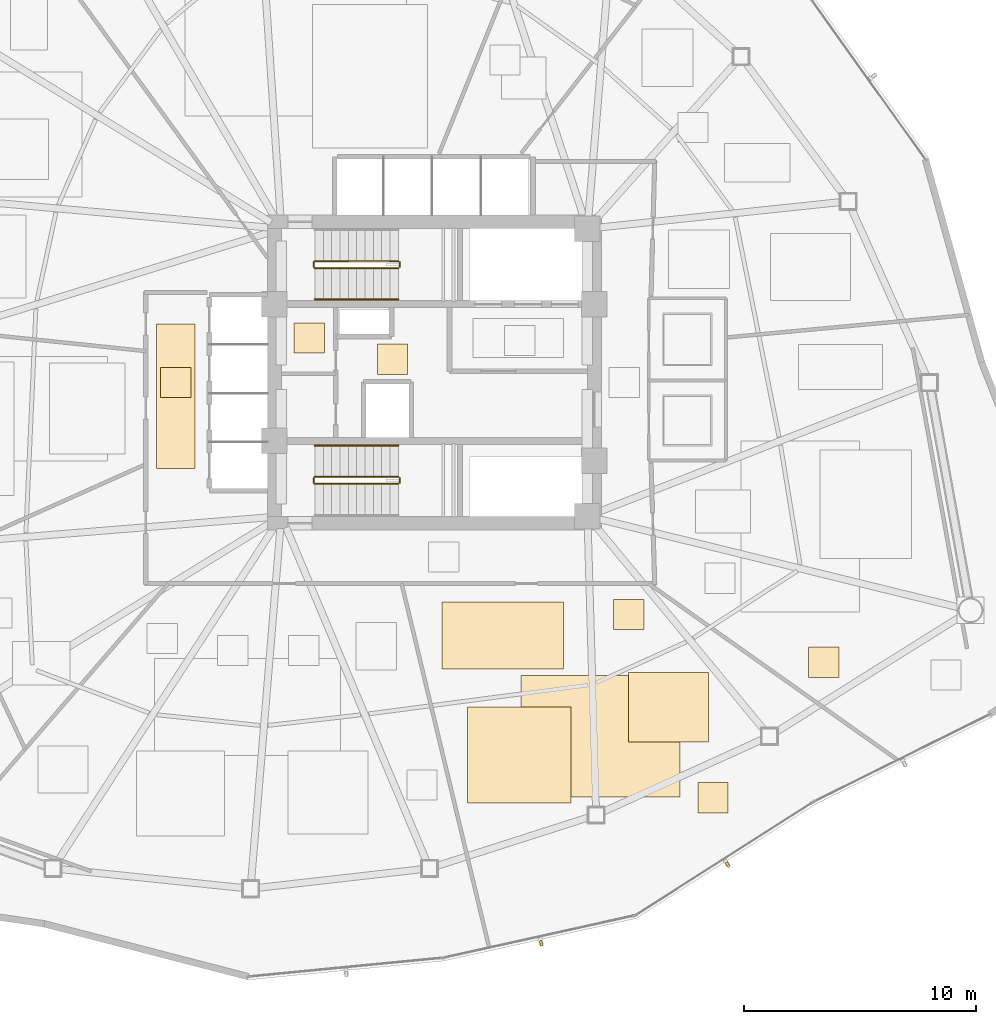
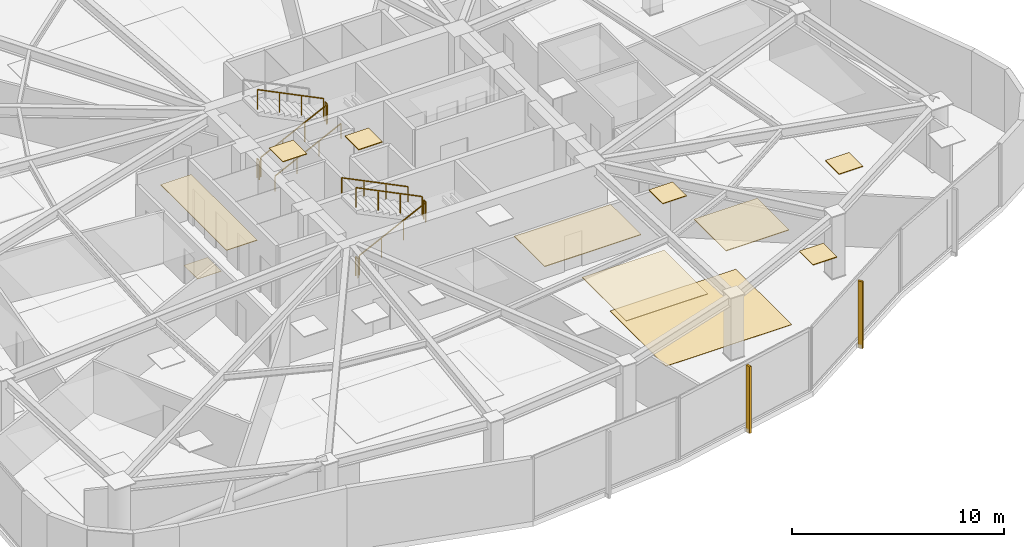
# One storey, part 16 of 18: 11 coverings, 10 railings, 2 shading devices.
"""IFC4 building model written with IfcOpenShell, lengths in metres."""

from ifc_helpers import new_model, si_unit, direction, frame, origin, origin_2d, place, context, subcontext, project, spatial, polyline, rectangle, outline, extrude, source, transform, mapped, material, layer, layer_set, type_object, type_shapes, element, save


model = new_model("IFC4")

# Units and contexts
model_context = context("Model", 3, precision=1e-05, world=origin(), true_north=direction((0.0, 1.0)))
body_context = subcontext(model_context, "Body", "Model", "MODEL_VIEW")
ifc_project = project(units=[si_unit("LENGTHUNIT", "METRE"), si_unit("AREAUNIT", "SQUARE_METRE"), si_unit("VOLUMEUNIT", "CUBIC_METRE"), si_unit("PLANEANGLEUNIT", "RADIAN"), si_unit("MASSUNIT", "GRAM", prefix="KILO")], contexts=[model_context])

# Site, building, storey
site_placement = place(None, origin())
site = spatial("IfcSite", under=ifc_project, at=site_placement, CompositionType="ELEMENT")
building_placement = place(site_placement, origin())
building = spatial("IfcBuilding", under=site, at=building_placement, Name="Tavelor Broadcast Tower", CompositionType="ELEMENT")
storey_placement = place(building_placement, frame((0.0, 0.0, 62.699951171875)))
storey = spatial("IfcBuildingStorey", under=building, at=storey_placement, Name="L14", CompositionType="ELEMENT", Elevation=62.699951171875)

# Covering
ifc_material_1 = material(Name="Copper-Bronze Anodized Aluminium", Category="aluminium")
ifc_layer_1 = layer(ifc_material_1, 0.044921875)
ifc_layer_set_1 = layer_set([ifc_layer_1], Name="Copper-Bronze Anodized Aluminium")
covering_type_1 = type_object("IfcCoveringType", Name="Anodised Bronze Linear Slatted Concourse Ceiling 45 mm", PredefinedType="CEILING", material=ifc_layer_set_1)
covering_1_placement = place(storey_placement, frame((0.0, 0.0, 3.554931640625)))
element("IfcCovering", 1, at=covering_1_placement, inside=storey, type_object=covering_type_1, Name="L14 Suspended Acoustic Ceiling 0541", PredefinedType="CEILING", context=body_context, shape_type="SweptSolid", body=[
    extrude(outline(polyline([(47.5400390625, 44.919921875), (48.840087890625, 44.919921875), (48.840087890625, 46.219970703125), (47.5400390625, 46.219970703125), (47.5400390625, 44.919921875)])), origin(), (0.0, 0.0, 1.0), 0.045166015625),
])

# Railings
ifc_material_2 = material(Name="Steel S355", Category="steel")
railing_type_1 = type_object("IfcRailingType", Name="Continuous Brushed Stainless Handrail 900 mm", PredefinedType="HANDRAIL", material=ifc_material_2)
railing_1_placement = place(storey_placement, frame((44.85009765625, 48.14990234375, 0.17724609375)))
element("IfcRailing", 2, at=railing_1_placement, inside=storey, type_object=railing_type_1, Name="L14 ST1 stair handrail 1", PredefinedType="HANDRAIL", context=body_context, shape_type="SweptSolid", body=[
    extrude(rectangle(XDim=0.048095703125, YDim=0.048095703125, at=origin_2d()), frame((0.0, 0.0, 0.8759765625), z_axis=(0.897124305991, 0.0, 0.441778201817), x_axis=(0.0, 1.0, 0.0)), (0.0, 0.0, 1.0), 4.0126953125),
    extrude(rectangle(XDim=0.0419921875, YDim=0.0419921875, at=origin_2d()), origin(), (0.0, 0.0, 1.0), 0.851806640625),
    extrude(rectangle(XDim=0.0419921875, YDim=0.0419921875, at=origin_2d()), frame((1.199951171875, 0.0, 0.5908203125)), (0.0, 0.0, 1.0), 0.851806640625),
    extrude(rectangle(XDim=0.0419921875, YDim=0.0419921875, at=origin_2d()), frame((2.39990234375, 0.0, 1.181884765625)), (0.0, 0.0, 1.0), 0.851806640625),
    extrude(rectangle(XDim=0.0419921875, YDim=0.0419921875, at=origin_2d()), frame((3.599853515625, 0.0, 1.772705078125)), (0.0, 0.0, 1.0), 0.851806640625),
])
railing_2_placement = place(storey_placement, frame((48.449951171875, 41.85009765625, 2.12744140625)))
element("IfcRailing", 3, at=railing_2_placement, inside=storey, type_object=railing_type_1, Name="L14 ST2 stair handrail 2", PredefinedType="HANDRAIL", context=body_context, shape_type="SweptSolid", body=[
    extrude(rectangle(XDim=0.048095703125, YDim=0.048095703125, at=origin_2d()), frame((0.0, 0.0, 0.8759765625), z_axis=(-0.897124305991, 0.0, 0.441778201817), x_axis=(0.0, -1.0, 0.0)), (0.0, 0.0, 1.0), 4.0126953125),
    extrude(rectangle(XDim=0.0419921875, YDim=0.0419921875, at=origin_2d()), origin(), (0.0, 0.0, 1.0), 0.851806640625),
    extrude(rectangle(XDim=0.0419921875, YDim=0.0419921875, at=origin_2d()), frame((-1.199951171875, 0.0, 0.5908203125)), (0.0, 0.0, 1.0), 0.851806640625),
    extrude(rectangle(XDim=0.0419921875, YDim=0.0419921875, at=origin_2d()), frame((-2.39990234375, 0.0, 1.181884765625)), (0.0, 0.0, 1.0), 0.851806640625),
    extrude(rectangle(XDim=0.0419921875, YDim=0.0419921875, at=origin_2d()), frame((-3.599853515625, 0.0, 1.772705078125)), (0.0, 0.0, 1.0), 0.851806640625),
])

# Coverings
ifc_material_3 = material(Name="Architectural Anodized Aluminium", Category="aluminium")
ifc_layer_2 = layer(ifc_material_3, 0.034912109375)
ifc_layer_set_2 = layer_set([ifc_layer_2], Name="Architectural Anodized Aluminium")
covering_type_2 = type_object("IfcCoveringType", Name="Demountable Metal Tile Corridor Ceiling 35 mm", PredefinedType="CEILING", material=ifc_layer_set_2)
covering_2_placement = place(storey_placement, frame((0.0, 0.0, 3.56494140625)))
element("IfcCovering", 4, at=covering_2_placement, inside=storey, type_object=covering_type_2, Name="L14 Suspended Acoustic Ceiling 0545", PredefinedType="CEILING", context=body_context, shape_type="SweptSolid", body=[
    extrude(outline(polyline([(38.01611328125, 40.868896484375), (39.683837890625, 40.868896484375), (39.683837890625, 47.096923828125), (38.01611328125, 47.096923828125), (38.01611328125, 40.868896484375)])), origin(), (0.0, 0.0, 1.0), 0.03515625),
])
ifc_material_4 = material(Name="Acoustic Nylon Carpet Tile")
ifc_layer_3 = layer(ifc_material_4, 0.02001953125)
ifc_layer_set_3 = layer_set([ifc_layer_3], Name="Acoustic Nylon Carpet Tile")
covering_type_3 = type_object("IfcCoveringType", Name="Heavy-Duty Acoustic Broadcast Carpet Tile 20 mm", PredefinedType="FLOORING", material=ifc_layer_set_3)
covering_3_placement = place(storey_placement, origin())
element("IfcCovering", 5, at=covering_3_placement, inside=storey, type_object=covering_type_3, Name="L14 Broadcast Floor Finish 0191", PredefinedType="FLOORING", context=body_context, shape_type="SweptSolid", body=[
    extrude(outline(polyline([(38.199951171875, 43.925048828125), (39.5, 43.925048828125), (39.5, 45.22509765625), (38.199951171875, 45.22509765625), (38.199951171875, 43.925048828125)])), origin(), (0.0, 0.0, 1.0), 0.02001953125),
])
covering_4_placement = place(storey_placement, origin())
element("IfcCovering", 6, at=covering_4_placement, inside=storey, type_object=covering_type_3, Name="L14 Broadcast Floor Finish 0201", PredefinedType="FLOORING", context=body_context, shape_type="SweptSolid", body=[
    extrude(outline(polyline([(53.725830078125, 26.690673828125), (60.58154296875, 26.690673828125), (60.58154296875, 31.945068359375), (53.725830078125, 31.945068359375), (53.725830078125, 26.690673828125)])), origin(), (0.0, 0.0, 1.0), 0.02001953125),
])

# Railings
railing_type_2 = type_object("IfcRailingType", Name="Stairwell Steel Safety Guardrail 1150 mm", PredefinedType="GUARDRAIL", material=ifc_material_2)
railing_3_placement = place(storey_placement, frame((44.85009765625, 49.5, 0.17724609375)))
element("IfcRailing", 7, at=railing_3_placement, inside=storey, type_object=railing_type_2, Name="L14 ST1 stair guard 1", PredefinedType="GUARDRAIL", context=body_context, shape_type="SweptSolid", body=[
    extrude(rectangle(XDim=0.048095703125, YDim=0.048095703125, at=origin_2d()), frame((0.0, 0.0, 1.1259765625), z_axis=(0.897124305991, 0.0, 0.441778201817), x_axis=(0.0, 1.0, 0.0)), (0.0, 0.0, 1.0), 4.0126953125),
    extrude(rectangle(XDim=0.0419921875, YDim=0.0419921875, at=origin_2d()), origin(), (0.0, 0.0, 1.0), 1.101806640625),
    extrude(rectangle(XDim=0.0419921875, YDim=0.0419921875, at=origin_2d()), frame((1.199951171875, 0.0, 0.5908203125)), (0.0, 0.0, 1.0), 1.101806640625),
    extrude(rectangle(XDim=0.0419921875, YDim=0.0419921875, at=origin_2d()), frame((2.39990234375, 0.0, 1.181884765625)), (0.0, 0.0, 1.0), 1.101806640625),
    extrude(rectangle(XDim=0.0419921875, YDim=0.0419921875, at=origin_2d()), frame((3.599853515625, 0.0, 1.772705078125)), (0.0, 0.0, 1.0), 1.101806640625),
])
railing_4_placement = place(storey_placement, frame((48.5, 49.550048828125, 1.949951171875)))
element("IfcRailing", 8, at=railing_4_placement, inside=storey, type_object=railing_type_2, Name="L14 ST1 stair guard 2", PredefinedType="GUARDRAIL", context=body_context, shape_type="SweptSolid", body=[
    extrude(rectangle(XDim=0.048095703125, YDim=0.048095703125, at=origin_2d()), frame((0.0, 0.0, 1.1259765625), z_axis=(0.0, 1.0, 0.0), x_axis=(-1.0, 0.0, 0.0)), (0.0, 0.0, 1.0), 0.199951171875),
    extrude(rectangle(XDim=0.0419921875, YDim=0.0419921875, at=origin_2d()), origin(), (0.0, 0.0, 1.0), 1.101806640625),
    extrude(rectangle(XDim=0.0419921875, YDim=0.0419921875, at=origin_2d()), frame((0.0, 0.199951171875, 0.0)), (0.0, 0.0, 1.0), 1.101806640625),
])
railing_5_placement = place(storey_placement, frame((48.449951171875, 49.800048828125, 2.12744140625)))
element("IfcRailing", 9, at=railing_5_placement, inside=storey, type_object=railing_type_2, Name="L14 ST1 stair guard 3", PredefinedType="GUARDRAIL", context=body_context, shape_type="SweptSolid", body=[
    extrude(rectangle(XDim=0.048095703125, YDim=0.048095703125, at=origin_2d()), frame((0.0, 0.0, 1.1259765625), z_axis=(-0.897124305991, 0.0, 0.441778201817), x_axis=(0.0, -1.0, 0.0)), (0.0, 0.0, 1.0), 4.0126953125),
    extrude(rectangle(XDim=0.0419921875, YDim=0.0419921875, at=origin_2d()), origin(), (0.0, 0.0, 1.0), 1.101806640625),
    extrude(rectangle(XDim=0.0419921875, YDim=0.0419921875, at=origin_2d()), frame((-1.199951171875, 0.0, 0.5908203125)), (0.0, 0.0, 1.0), 1.101806640625),
    extrude(rectangle(XDim=0.0419921875, YDim=0.0419921875, at=origin_2d()), frame((-2.39990234375, 0.0, 1.181884765625)), (0.0, 0.0, 1.0), 1.101806640625),
    extrude(rectangle(XDim=0.0419921875, YDim=0.0419921875, at=origin_2d()), frame((-3.599853515625, 0.0, 1.772705078125)), (0.0, 0.0, 1.0), 1.101806640625),
])
railing_6_placement = place(storey_placement, frame((44.800048828125, 49.550048828125, 0.0)))
element("IfcRailing", 10, at=railing_6_placement, inside=storey, type_object=railing_type_2, Name="L14 ST1 stair guard 4", PredefinedType="GUARDRAIL", context=body_context, shape_type="SweptSolid", body=[
    extrude(rectangle(XDim=0.048095703125, YDim=0.048095703125, at=origin_2d()), frame((0.0, 0.0, 1.1259765625), z_axis=(0.0, 1.0, 0.0), x_axis=(-1.0, 0.0, 0.0)), (0.0, 0.0, 1.0), 0.199951171875),
    extrude(rectangle(XDim=0.0419921875, YDim=0.0419921875, at=origin_2d()), origin(), (0.0, 0.0, 1.0), 1.101806640625),
    extrude(rectangle(XDim=0.0419921875, YDim=0.0419921875, at=origin_2d()), frame((0.0, 0.199951171875, 0.0)), (0.0, 0.0, 1.0), 1.101806640625),
])
railing_7_placement = place(storey_placement, frame((44.85009765625, 40.199951171875, 0.17724609375)))
element("IfcRailing", 11, at=railing_7_placement, inside=storey, type_object=railing_type_2, Name="L14 ST2 stair guard 1", PredefinedType="GUARDRAIL", context=body_context, shape_type="SweptSolid", body=[
    extrude(rectangle(XDim=0.048095703125, YDim=0.048095703125, at=origin_2d()), frame((0.0, 0.0, 1.1259765625), z_axis=(0.897124305991, 0.0, 0.441778201817), x_axis=(0.0, 1.0, 0.0)), (0.0, 0.0, 1.0), 4.0126953125),
    extrude(rectangle(XDim=0.0419921875, YDim=0.0419921875, at=origin_2d()), origin(), (0.0, 0.0, 1.0), 1.101806640625),
    extrude(rectangle(XDim=0.0419921875, YDim=0.0419921875, at=origin_2d()), frame((1.199951171875, 0.0, 0.5908203125)), (0.0, 0.0, 1.0), 1.101806640625),
    extrude(rectangle(XDim=0.0419921875, YDim=0.0419921875, at=origin_2d()), frame((2.39990234375, 0.0, 1.181884765625)), (0.0, 0.0, 1.0), 1.101806640625),
    extrude(rectangle(XDim=0.0419921875, YDim=0.0419921875, at=origin_2d()), frame((3.599853515625, 0.0, 1.772705078125)), (0.0, 0.0, 1.0), 1.101806640625),
])
railing_8_placement = place(storey_placement, frame((48.5, 40.25, 1.949951171875)))
element("IfcRailing", 12, at=railing_8_placement, inside=storey, type_object=railing_type_2, Name="L14 ST2 stair guard 2", PredefinedType="GUARDRAIL", context=body_context, shape_type="SweptSolid", body=[
    extrude(rectangle(XDim=0.048095703125, YDim=0.048095703125, at=origin_2d()), frame((0.0, 0.0, 1.1259765625), z_axis=(0.0, 1.0, 0.0), x_axis=(-1.0, 0.0, 0.0)), (0.0, 0.0, 1.0), 0.199951171875),
    extrude(rectangle(XDim=0.0419921875, YDim=0.0419921875, at=origin_2d()), origin(), (0.0, 0.0, 1.0), 1.101806640625),
    extrude(rectangle(XDim=0.0419921875, YDim=0.0419921875, at=origin_2d()), frame((0.0, 0.199951171875, 0.0)), (0.0, 0.0, 1.0), 1.101806640625),
])
railing_9_placement = place(storey_placement, frame((48.449951171875, 40.5, 2.12744140625)))
element("IfcRailing", 13, at=railing_9_placement, inside=storey, type_object=railing_type_2, Name="L14 ST2 stair guard 3", PredefinedType="GUARDRAIL", context=body_context, shape_type="SweptSolid", body=[
    extrude(rectangle(XDim=0.048095703125, YDim=0.048095703125, at=origin_2d()), frame((0.0, 0.0, 1.1259765625), z_axis=(-0.897124305991, 0.0, 0.441778201817), x_axis=(0.0, -1.0, 0.0)), (0.0, 0.0, 1.0), 4.0126953125),
    extrude(rectangle(XDim=0.0419921875, YDim=0.0419921875, at=origin_2d()), origin(), (0.0, 0.0, 1.0), 1.101806640625),
    extrude(rectangle(XDim=0.0419921875, YDim=0.0419921875, at=origin_2d()), frame((-1.199951171875, 0.0, 0.5908203125)), (0.0, 0.0, 1.0), 1.101806640625),
    extrude(rectangle(XDim=0.0419921875, YDim=0.0419921875, at=origin_2d()), frame((-2.39990234375, 0.0, 1.181884765625)), (0.0, 0.0, 1.0), 1.101806640625),
    extrude(rectangle(XDim=0.0419921875, YDim=0.0419921875, at=origin_2d()), frame((-3.599853515625, 0.0, 1.772705078125)), (0.0, 0.0, 1.0), 1.101806640625),
])
railing_10_placement = place(storey_placement, frame((44.800048828125, 40.25, 0.0)))
element("IfcRailing", 14, at=railing_10_placement, inside=storey, type_object=railing_type_2, Name="L14 ST2 stair guard 4", PredefinedType="GUARDRAIL", context=body_context, shape_type="SweptSolid", body=[
    extrude(rectangle(XDim=0.048095703125, YDim=0.048095703125, at=origin_2d()), frame((0.0, 0.0, 1.1259765625), z_axis=(0.0, 1.0, 0.0), x_axis=(-1.0, 0.0, 0.0)), (0.0, 0.0, 1.0), 0.199951171875),
    extrude(rectangle(XDim=0.0419921875, YDim=0.0419921875, at=origin_2d()), origin(), (0.0, 0.0, 1.0), 1.101806640625),
    extrude(rectangle(XDim=0.0419921875, YDim=0.0419921875, at=origin_2d()), frame((0.0, 0.199951171875, 0.0)), (0.0, 0.0, 1.0), 1.101806640625),
])

# Coverings
ifc_material_5 = material(Name="Acoustic Mineral Fibre Tile")
ifc_layer_4 = layer(ifc_material_5, 0.0400390625)
ifc_layer_set_4 = layer_set([ifc_layer_4], Name="Acoustic Mineral Fibre Tile")
covering_type_4 = type_object("IfcCoveringType", Name="Suspended Acoustic Mineral-Fibre Office Ceiling 40 mm", PredefinedType="CEILING", material=ifc_layer_set_4)
covering_5_placement = place(storey_placement, frame((0.0, 0.0, 3.56005859375)))
element("IfcCovering", 15, at=covering_5_placement, inside=storey, type_object=covering_type_4, Name="L14 Suspended Acoustic Ceiling 0542", PredefinedType="CEILING", context=body_context, shape_type="SweptSolid", body=[
    extrude(outline(polyline([(43.951416015625, 45.843017578125), (45.25146484375, 45.843017578125), (45.25146484375, 47.14306640625), (43.951416015625, 47.14306640625), (43.951416015625, 45.843017578125)])), origin(), (0.0, 0.0, 1.0), 0.0400390625),
])
covering_6_placement = place(storey_placement, frame((0.0, 0.0, 3.56005859375)))
element("IfcCovering", 16, at=covering_6_placement, inside=storey, type_object=covering_type_4, Name="L14 Suspended Acoustic Ceiling 0576", PredefinedType="CEILING", context=body_context, shape_type="SweptSolid", body=[
    extrude(outline(polyline([(66.142333984375, 31.8544921875), (67.4423828125, 31.8544921875), (67.4423828125, 33.154296875), (66.142333984375, 33.154296875), (66.142333984375, 31.8544921875)])), origin(), (0.0, 0.0, 1.0), 0.0400390625),
])
covering_7_placement = place(storey_placement, frame((0.0, 0.0, 3.56005859375)))
element("IfcCovering", 17, at=covering_7_placement, inside=storey, type_object=covering_type_4, Name="L14 Suspended Acoustic Ceiling 0579", PredefinedType="CEILING", context=body_context, shape_type="SweptSolid", body=[
    extrude(outline(polyline([(61.357177734375, 26.0107421875), (62.6572265625, 26.0107421875), (62.6572265625, 27.310791015625), (61.357177734375, 27.310791015625), (61.357177734375, 26.0107421875)])), origin(), (0.0, 0.0, 1.0), 0.0400390625),
])
covering_8_placement = place(storey_placement, frame((0.0, 0.0, 3.56005859375)))
element("IfcCovering", 18, at=covering_8_placement, inside=storey, type_object=covering_type_4, Name="L14 Suspended Acoustic Ceiling 0580", PredefinedType="CEILING", context=body_context, shape_type="SweptSolid", body=[
    extrude(outline(polyline([(51.41943359375, 26.4287109375), (55.881591796875, 26.4287109375), (55.881591796875, 30.56640625), (51.41943359375, 30.56640625), (51.41943359375, 26.4287109375)])), origin(), (0.0, 0.0, 1.0), 0.0400390625),
])
covering_9_placement = place(storey_placement, frame((0.0, 0.0, 3.56005859375)))
element("IfcCovering", 19, at=covering_9_placement, inside=storey, type_object=covering_type_4, Name="L14 Suspended Acoustic Ceiling 0581", PredefinedType="CEILING", context=body_context, shape_type="SweptSolid", body=[
    extrude(outline(polyline([(50.332275390625, 32.220947265625), (55.577880859375, 32.220947265625), (55.577880859375, 35.09423828125), (50.332275390625, 35.09423828125), (50.332275390625, 32.220947265625)])), origin(), (0.0, 0.0, 1.0), 0.0400390625),
])
covering_10_placement = place(storey_placement, frame((0.0, 0.0, 3.56005859375)))
element("IfcCovering", 20, at=covering_10_placement, inside=storey, type_object=covering_type_4, Name="L14 Suspended Acoustic Ceiling 0582", PredefinedType="CEILING", context=body_context, shape_type="SweptSolid", body=[
    extrude(outline(polyline([(57.73095703125, 33.91650390625), (59.031005859375, 33.91650390625), (59.031005859375, 35.216552734375), (57.73095703125, 35.216552734375), (57.73095703125, 33.91650390625)])), origin(), (0.0, 0.0, 1.0), 0.0400390625),
])
covering_11_placement = place(storey_placement, frame((0.0, 0.0, 3.56005859375)))
element("IfcCovering", 21, at=covering_11_placement, inside=storey, type_object=covering_type_4, Name="L14 Suspended Acoustic Ceiling 0583", PredefinedType="CEILING", context=body_context, shape_type="SweptSolid", body=[
    extrude(outline(polyline([(58.373779296875, 29.06640625), (61.811279296875, 29.06640625), (61.811279296875, 32.069091796875), (58.373779296875, 32.069091796875), (58.373779296875, 29.06640625)])), origin(), (0.0, 0.0, 1.0), 0.0400390625),
])

# Shading devices
ifc_material_6 = material(Name="Kiln-Fired Glazed Terracotta", Category="masonry")
shading_device_type = type_object("IfcShadingDeviceType", Name="Extruded Terracotta Baguette Sun-Screen 110x240", PredefinedType="JALOUSIE", material=ifc_material_6)
shared_shape = source(origin(), body_context, "Body", "SweptSolid", [
    extrude(rectangle(XDim=0.110107421875, YDim=0.239990234375, at=origin_2d()), origin(), (0.0, 0.0, 1.0), 3.840087890625),
])
type_shapes(shading_device_type, [shared_shape])
for number, where, z_axis, x_axis, name in (
    (22, (54.603515625, 20.384033203125, -0.259765625), (0.0, 0.0, 1.0), (0.976371499317, 0.216098809163, 0.0), "L14 Terracotta Baguette Fin 126"),
    (23, (62.64794921875, 23.773681640625, -0.259765625), (0.0, 0.0, 1.0), (0.84320384149, 0.537593974759, 0.0), "L14 Terracotta Baguette Fin 127"),
):
    element("IfcShadingDevice", number, at=place(storey_placement, frame(where, z_axis=z_axis, x_axis=x_axis)), inside=storey, type_object=shading_device_type, Name=name, PredefinedType="JALOUSIE", context=body_context, shape_type="MappedRepresentation", body=[
        mapped(shared_shape, transform((0.0, 0.0, 0.0), scale=1.0)),
    ])

save(model, "model.ifc")
